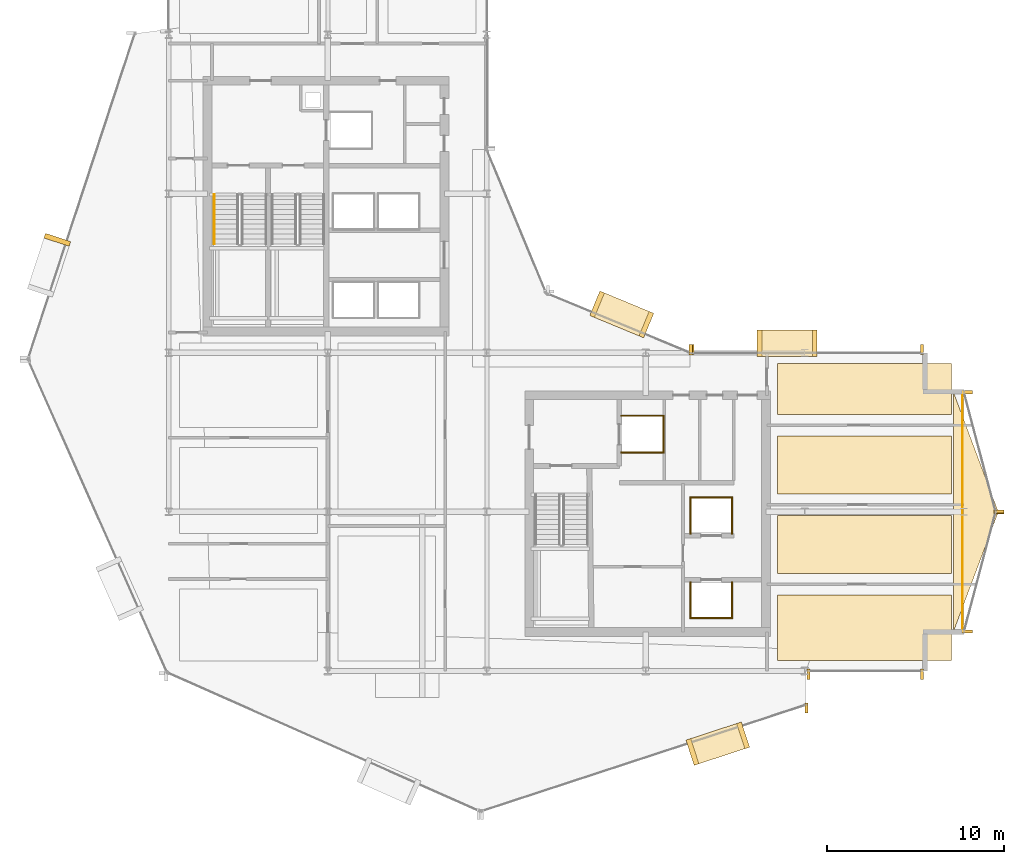
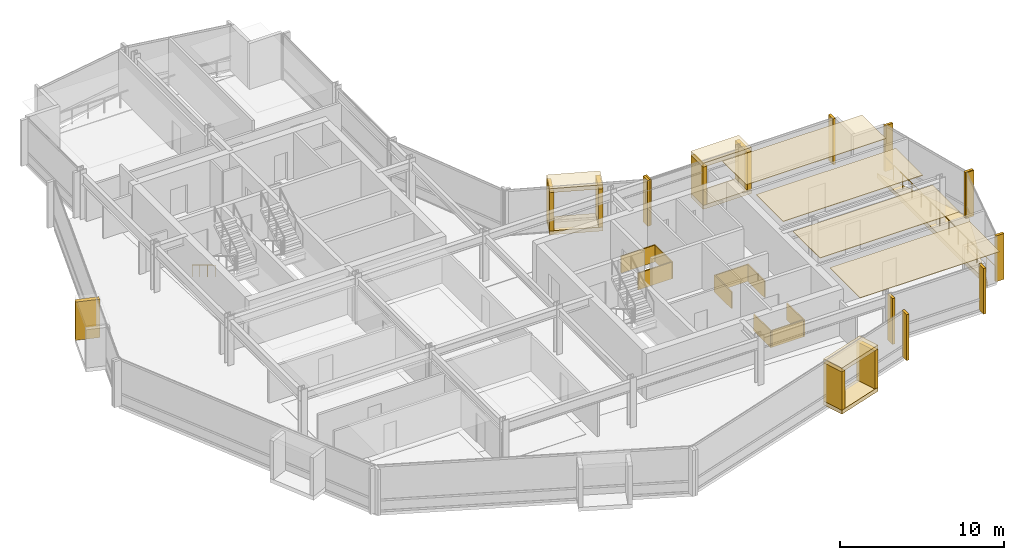
# One storey, part 28 of 29: 37 coverings, 2 railings.
"""IFC4 building model written with IfcOpenShell, lengths in metres."""

import ifcopenshell
import ifcopenshell.guid

model = None  # the IFC model being written
_history = None  # IfcOwnerHistory: only IFC2X3 demands one
_inside = {}  # id of a spatial element -> (the spatial element, [elements in it])
_under = {}  # id of a project, library or spatial element -> (it, [spatial elements below it])
_declared = {}  # id of a project -> (the project, [libraries it declares])
_typed = {}  # id of a type object -> (the type object, [elements of that type])
_made_of = {}  # id of a material, layer set ... -> (it, [elements and type objects made of it])


def new_model(schema):
    """Start an empty IFC model of exactly this schema.

    Asked for "IFC4X3", IfcOpenShell would pick the latest addendum, in which some entities
    have other attributes; the version numbers below select the first issue.
    IFC2X3 requires an IfcOwnerHistory on every rooted entity: one is made here for all.
    """
    global model, _history
    if schema == "IFC4X3":
        model = ifcopenshell.file(schema_version=(4, 3, 0, 0))
    else:
        model = ifcopenshell.file(schema=schema)
    _inside.clear()
    _under.clear()
    _declared.clear()
    _typed.clear()
    _made_of.clear()
    _history = None
    if model.schema == "IFC2X3":
        org = make("IfcOrganization", Name="unknown")
        user = make(
            "IfcPersonAndOrganization",
            ThePerson=make("IfcPerson", FamilyName="unknown"),
            TheOrganization=org,
        )
        app = make(
            "IfcApplication",
            ApplicationDeveloper=org,
            Version="unknown",
            ApplicationFullName="unknown",
            ApplicationIdentifier="unknown",
        )
        _history = make(
            "IfcOwnerHistory",
            OwningUser=user,
            OwningApplication=app,
            ChangeAction="ADDED",
            CreationDate=0,
        )
    return model


def make(cls, **values):
    """One entity of the class cls with the attributes given. An attribute that is None is left unset."""
    return model.create_entity(
        cls, **{name: value for name, value in values.items() if value is not None}
    )


def rooted(cls, **values):
    """An entity with a GlobalId (a new one), such as an element, a storey or a relation."""
    return make(cls, GlobalId=ifcopenshell.guid.new(), OwnerHistory=_history, **values)


def si_unit(unit_type, name, prefix=None):
    """IfcSIUnit, for example si_unit("LENGTHUNIT", "METRE", prefix="MILLI")."""
    return make("IfcSIUnit", UnitType=unit_type, Prefix=prefix, Name=name)


def assignment(units):
    """IfcUnitAssignment: the units of a project."""
    return None if units is None else make("IfcUnitAssignment", Units=units)


def point(xyz):
    """IfcCartesianPoint."""
    return None if xyz is None else make("IfcCartesianPoint", Coordinates=xyz)


def direction(xyz):
    """IfcDirection."""
    return None if xyz is None else make("IfcDirection", DirectionRatios=xyz)


def frame(location, z_axis=None, x_axis=None):
    """IfcAxis2Placement3D, a coordinate frame: its origin and axes. An axis left out is left unset."""
    return make(
        "IfcAxis2Placement3D",
        Location=point(location),
        Axis=direction(z_axis),
        RefDirection=direction(x_axis),
    )


def frame_2d(location, x_axis=None):
    """IfcAxis2Placement2D, a coordinate frame in the plane: its origin and x axis."""
    return make(
        "IfcAxis2Placement2D", Location=point(location), RefDirection=direction(x_axis)
    )


def origin():
    """The frame at (0, 0, 0) with its axes left unset."""
    return frame((0.0, 0.0, 0.0))


def origin_2d():
    """The frame at (0, 0) in the plane with its x axis left unset."""
    return frame_2d((0.0, 0.0))


def place(relative_to, where):
    """IfcLocalPlacement: puts the frame where relative to a parent placement (None: the world)."""
    return make(
        "IfcLocalPlacement", PlacementRelTo=relative_to, RelativePlacement=where
    )


def context(
    kind, dimensions, precision=None, world=None, true_north=None, identifier=None
):
    """IfcGeometricRepresentationContext, for example the 3D "Model" context."""
    return make(
        "IfcGeometricRepresentationContext",
        ContextIdentifier=identifier,
        ContextType=kind,
        CoordinateSpaceDimension=dimensions,
        Precision=precision,
        WorldCoordinateSystem=world,
        TrueNorth=true_north,
    )


def subcontext(parent, identifier, kind, view, scale=None):
    """IfcGeometricRepresentationSubContext, for example "Body" below "Model"."""
    return make(
        "IfcGeometricRepresentationSubContext",
        ContextIdentifier=identifier,
        ContextType=kind,
        ParentContext=parent,
        TargetScale=scale,
        TargetView=view,
    )


def project(units=None, contexts=None):
    """IfcProject with its units and contexts."""
    return rooted(
        "IfcProject",
        Name="project",
        RepresentationContexts=contexts,
        UnitsInContext=assignment(units),
    )


def spatial(cls, under=None, at=None, **own):
    """A site, building, storey or space (cls), placed at a placement, below another one or the project."""
    s = rooted(cls, ObjectPlacement=at, **own)
    if under is not None:
        _under.setdefault(under.id(), (under, []))[1].append(s)
    return s


def polyline(points):
    """IfcPolyline through the points."""
    return make("IfcPolyline", Points=[point(p) for p in points])


def profile(cls, at=None, kind="AREA", **sizes):
    """A parametric profile (cls). Its sizes go by their IFC names, for example OverallWidth=200.0."""
    return make(cls, ProfileType=kind, Position=at, **sizes)


def rectangle(**sizes):
    """IfcRectangleProfileDef."""
    return profile("IfcRectangleProfileDef", **sizes)


def circle(**sizes):
    """IfcCircleProfileDef."""
    return profile("IfcCircleProfileDef", **sizes)


def outline(outer, holes=None, kind="AREA"):
    """IfcArbitraryClosedProfileDef: a profile drawn as a closed curve; with holes, ...WithVoids."""
    if holes is None:
        return make("IfcArbitraryClosedProfileDef", ProfileType=kind, OuterCurve=outer)
    return make(
        "IfcArbitraryProfileDefWithVoids",
        ProfileType=kind,
        OuterCurve=outer,
        InnerCurves=holes,
    )


def extrude(swept, where, along, depth):
    """IfcExtrudedAreaSolid: the profile swept, set in the frame where, extruded along a direction by depth."""
    return make(
        "IfcExtrudedAreaSolid",
        SweptArea=swept,
        Position=where,
        ExtrudedDirection=direction(along),
        Depth=depth,
    )


def shape(context_of_items, identifier, shape_type, items):
    """IfcShapeRepresentation: the items that make up one representation, for example the "Body"."""
    return make(
        "IfcShapeRepresentation",
        ContextOfItems=context_of_items,
        RepresentationIdentifier=identifier,
        RepresentationType=shape_type,
        Items=items,
    )


def material(Name=None, Category=None):
    """IfcMaterial."""
    return make("IfcMaterial", Name=Name, Category=Category)


def layer(
    of_material, thickness, ventilated=None, Name=None, Category=None, Priority=None
):
    """IfcMaterialLayer: one layer of a wall or slab, of a material (None: an air gap)."""
    return make(
        "IfcMaterialLayer",
        Material=of_material,
        LayerThickness=thickness,
        IsVentilated=ventilated,
        Name=Name,
        Category=Category,
        Priority=Priority,
    )


def layer_set(layers, Name=None):
    """IfcMaterialLayerSet."""
    return make("IfcMaterialLayerSet", MaterialLayers=layers, LayerSetName=Name)


def made_of(thing, what):
    """Note that an element or type object is made of a material, layer set ...; save() writes the relation."""
    if what is not None:
        _made_of.setdefault(what.id(), (what, []))[1].append(thing)
    return thing


def type_object(cls, material=None, **own):
    """A type object (cls), such as IfcWallType, which elements share."""
    return made_of(rooted(cls, **own), material)


def element(
    cls,
    number,
    at=None,
    inside=None,
    cuts=None,
    type_object=None,
    material=None,
    context=None,
    identifier="Body",
    shape_type=None,
    held_by="IfcProductDefinitionShape",
    body=None,
    shapes=None,
    **own,
):
    """One element of the class cls, such as IfcWall. Its Tag is "e" and its number.

    at: its placement. inside: the storey or other place that contains it. cuts: it is an
    opening in that element (IfcRelVoidsElement). A single representation is given by context,
    identifier, shape_type and body (its items); several are given by shapes. held_by: the class
    of the entity that holds the representations. save() writes the other relations.
    """
    e = rooted(cls, Tag="e%d" % number, ObjectPlacement=at, **own)
    if body is not None:
        shapes = [shape(context, identifier, shape_type, body)]
    if shapes is not None:
        e.Representation = make(held_by, Representations=shapes)
    if inside is not None:
        _inside.setdefault(inside.id(), (inside, []))[1].append(e)
    if cuts is not None:
        rooted(
            "IfcRelVoidsElement", RelatingBuildingElement=cuts, RelatedOpeningElement=e
        )
    if type_object is not None:
        _typed.setdefault(type_object.id(), (type_object, []))[1].append(e)
    return made_of(e, material)


def aggregate(whole, parts):
    """IfcRelAggregates: a whole, such as a stair, and the parts it consists of."""
    return rooted("IfcRelAggregates", RelatingObject=whole, RelatedObjects=parts)


def save(model, path):
    """Write the relations noted so far, then the file.

    IfcRelAggregates (storeys below a building ...), IfcRelContainedInSpatialStructure (elements
    in a storey), IfcRelDefinesByType, IfcRelAssociatesMaterial and IfcRelDeclares: one each for
    every whole, place, type object, material and project.
    """
    for whole, parts in _under.values():
        aggregate(whole, parts)
    for where, things in _inside.values():
        rooted(
            "IfcRelContainedInSpatialStructure",
            RelatedElements=things,
            RelatingStructure=where,
        )
    for kind, things in _typed.values():
        rooted("IfcRelDefinesByType", RelatedObjects=things, RelatingType=kind)
    for what, things in _made_of.values():
        rooted("IfcRelAssociatesMaterial", RelatedObjects=things, RelatingMaterial=what)
    for by, libraries in _declared.values():
        rooted("IfcRelDeclares", RelatingContext=by, RelatedDefinitions=libraries)
    model.write(path)


model = new_model("IFC4")

# Units and contexts
model_context = context("Model", 3, precision=1e-05, world=origin(), true_north=direction((0.0, 1.0)))
body_context = subcontext(model_context, "Body", "Model", "MODEL_VIEW")
ifc_project = project(units=[si_unit("LENGTHUNIT", "METRE"), si_unit("AREAUNIT", "SQUARE_METRE"), si_unit("VOLUMEUNIT", "CUBIC_METRE"), si_unit("PLANEANGLEUNIT", "RADIAN"), si_unit("MASSUNIT", "GRAM", prefix="KILO")], contexts=[model_context])

# Site, building, storey
site_placement = place(None, origin())
site = spatial("IfcSite", under=ifc_project, at=site_placement, CompositionType="ELEMENT")
building_placement = place(site_placement, origin())
building = spatial("IfcBuilding", under=site, at=building_placement, Name="Solvaryn Broadcast Tower", CompositionType="ELEMENT")
storey_placement = place(building_placement, frame((0.0, 0.0, 139.60009765625)))
storey = spatial("IfcBuildingStorey", under=building, at=storey_placement, Name="L34", CompositionType="ELEMENT", Elevation=139.60009765625)

# Coverings
ifc_material_1 = material(Name="Micro-Perforated Acoustic Gypsum Ceiling", Category="concrete")
ifc_layer_1 = layer(ifc_material_1, 0.0400390625)
ifc_layer_set_1 = layer_set([ifc_layer_1], Name="CV-CEIL-ACOUSTIC")
covering_type_1 = type_object("IfcCoveringType", Name="CV-CEIL-ACOUSTIC", PredefinedType="CEILING", material=ifc_layer_set_1)
covering_1_placement = place(storey_placement, frame((0.0, 0.0, 3.3798828125)))
element("IfcCovering", 1, at=covering_1_placement, inside=storey, type_object=covering_type_1, Name="L34 Room Acoustic Ceiling 9", PredefinedType="CEILING", context=body_context, shape_type="SweptSolid", body=[
    extrude(outline(polyline([(43.449951171875, 9.60009765625), (53.300048828125, 9.60009765625), (53.300048828125, 13.300048828125), (43.449951171875, 13.300048828125), (43.449951171875, 9.60009765625)])), origin(), (0.0, 0.0, 1.0), 0.0400390625),
])
covering_2_placement = place(storey_placement, frame((0.0, 0.0, 3.3798828125)))
element("IfcCovering", 2, at=covering_2_placement, inside=storey, type_object=covering_type_1, Name="L34 Room Acoustic Ceiling 10", PredefinedType="CEILING", context=body_context, shape_type="SweptSolid", body=[
    extrude(outline(polyline([(43.449951171875, 14.5), (53.300048828125, 14.5), (53.300048828125, 17.800048828125), (43.449951171875, 17.800048828125), (43.449951171875, 14.5)])), origin(), (0.0, 0.0, 1.0), 0.0400390625),
])
covering_3_placement = place(storey_placement, frame((0.0, 0.0, 3.3798828125)))
element("IfcCovering", 3, at=covering_3_placement, inside=storey, type_object=covering_type_1, Name="L34 Room Acoustic Ceiling 11", PredefinedType="CEILING", context=body_context, shape_type="SweptSolid", body=[
    extrude(outline(polyline([(43.449951171875, 19.0), (53.300048828125, 19.0), (53.300048828125, 22.300048828125), (43.449951171875, 22.300048828125), (43.449951171875, 19.0)])), origin(), (0.0, 0.0, 1.0), 0.0400390625),
])
covering_4_placement = place(storey_placement, frame((0.0, 0.0, 3.3798828125)))
element("IfcCovering", 4, at=covering_4_placement, inside=storey, type_object=covering_type_1, Name="L34 Room Acoustic Ceiling 12", PredefinedType="CEILING", context=body_context, shape_type="SweptSolid", body=[
    extrude(outline(polyline([(43.449951171875, 23.5), (53.300048828125, 23.5), (53.300048828125, 26.39990234375), (43.449951171875, 26.39990234375), (43.449951171875, 23.5)])), origin(), (0.0, 0.0, 1.0), 0.0400390625),
])
ifc_material_2 = material(Name="Fire-Rated Gypsum Shaftwall Liner", Category="concrete")
ifc_layer_2 = layer(ifc_material_2, 0.080078125)
ifc_layer_set_2 = layer_set([ifc_layer_2], Name="CV-SHAFT-LINER")
covering_type_2 = type_object("IfcCoveringType", Name="CV-SHAFT-LINER", PredefinedType="CLADDING", material=ifc_layer_set_2)
for number, where, z_axis, x_axis, name in (
    (5, (35.800048828125, 23.43994140625, 0.0), (0.0, 0.0, 1.0), (1.0, 0.0, 0.0), "L34 FL2 Hoistway Shaft Liner North"),
    (6, (35.800048828125, 21.360107421875, 0.0), (0.0, 0.0, 1.0), (1.0, 0.0, 0.0), "L34 FL2 Hoistway Shaft Liner South"),
):
    element("IfcCovering", number, at=place(storey_placement, frame(where, z_axis=z_axis, x_axis=x_axis)), inside=storey, type_object=covering_type_2, Name=name, PredefinedType="CLADDING", context=body_context, shape_type="SweptSolid", body=[
        extrude(rectangle(XDim=2.4599609375, YDim=0.080078125, at=origin_2d()), origin(), (0.0, 0.0, 1.0), 1.25),
    ])
covering_5_placement = place(storey_placement, frame((36.989990234375, 22.39990234375, 0.0), z_axis=(0.0, 0.0, 1.0), x_axis=(1.0, 0.0, 0.0)))
element("IfcCovering", 7, at=covering_5_placement, inside=storey, type_object=covering_type_2, Name="L34 FL2 Hoistway Shaft Liner East", PredefinedType="CLADDING", context=body_context, shape_type="SweptSolid", body=[
    extrude(rectangle(XDim=0.080078125, YDim=2.159912109375, at=origin_2d()), origin(), (0.0, 0.0, 1.0), 1.25),
])
covering_6_placement = place(storey_placement, frame((39.699951171875, 11.985107421875, 0.0), z_axis=(0.0, 0.0, 1.0), x_axis=(1.0, 0.0, 0.0)))
element("IfcCovering", 8, at=covering_6_placement, inside=storey, type_object=covering_type_2, Name="L34 PM1 Hoistway Shaft Liner South", PredefinedType="CLADDING", context=body_context, shape_type="SweptSolid", body=[
    extrude(rectangle(XDim=2.409912109375, YDim=0.080078125, at=origin_2d()), origin(), (0.0, 0.0, 1.0), 1.25),
])
for number, where, z_axis, x_axis, name in (
    (9, (40.864990234375, 13.0, 0.0), (0.0, 0.0, 1.0), (1.0, 0.0, 0.0), "L34 PM1 Hoistway Shaft Liner East"),
    (10, (38.534912109375, 13.0, 0.0), (0.0, 0.0, 1.0), (1.0, 0.0, 0.0), "L34 PM1 Hoistway Shaft Liner West"),
):
    element("IfcCovering", number, at=place(storey_placement, frame(where, z_axis=z_axis, x_axis=x_axis)), inside=storey, type_object=covering_type_2, Name=name, PredefinedType="CLADDING", context=body_context, shape_type="SweptSolid", body=[
        extrude(rectangle(XDim=0.080078125, YDim=2.110107421875, at=origin_2d()), origin(), (0.0, 0.0, 1.0), 1.25),
    ])
covering_7_placement = place(storey_placement, frame((39.699951171875, 18.81494140625, 0.0), z_axis=(0.0, 0.0, 1.0), x_axis=(1.0, 0.0, 0.0)))
element("IfcCovering", 11, at=covering_7_placement, inside=storey, type_object=covering_type_2, Name="L34 PM2 Hoistway Shaft Liner North", PredefinedType="CLADDING", context=body_context, shape_type="SweptSolid", body=[
    extrude(rectangle(XDim=2.409912109375, YDim=0.080078125, at=origin_2d()), origin(), (0.0, 0.0, 1.0), 1.25),
])
for number, where, z_axis, x_axis, name in (
    (12, (40.864990234375, 17.800048828125, 0.0), (0.0, 0.0, 1.0), (1.0, 0.0, 0.0), "L34 PM2 Hoistway Shaft Liner East"),
    (13, (38.534912109375, 17.800048828125, 0.0), (0.0, 0.0, 1.0), (1.0, 0.0, 0.0), "L34 PM2 Hoistway Shaft Liner West"),
):
    element("IfcCovering", number, at=place(storey_placement, frame(where, z_axis=z_axis, x_axis=x_axis)), inside=storey, type_object=covering_type_2, Name=name, PredefinedType="CLADDING", context=body_context, shape_type="SweptSolid", body=[
        extrude(rectangle(XDim=0.080078125, YDim=2.110107421875, at=origin_2d()), origin(), (0.0, 0.0, 1.0), 1.25),
    ])
ifc_material_3 = material(Name="Glazed Architectural Terracotta Rainscreen Cladding", Category="masonry")
ifc_layer_3 = layer(ifc_material_3, 0.280029296875)
ifc_layer_set_3 = layer_set([ifc_layer_3], Name="CV-TC-CLAD")
covering_type_3 = type_object("IfcCoveringType", Name="CV-TC-CLAD", PredefinedType="CLADDING", material=ifc_layer_set_3)
covering_8_placement = place(storey_placement, frame((2.693603515625, 33.396728515625, 0.27978515625), z_axis=(0.0, 0.0, 1.0), x_axis=(-0.311671636848, -0.950189870912, 0.0)))
element("IfcCovering", 14, at=covering_8_placement, inside=storey, type_object=covering_type_3, Name="L34 Projecting Stone Window Box Cheek 1-1", PredefinedType="CLADDING", context=body_context, shape_type="SweptSolid", body=[
    extrude(rectangle(XDim=0.280029296875, YDim=1.5, at=origin_2d()), origin(), (0.0, 0.0, 1.0), 2.860107421875),
])
for number, where, z_axis, x_axis, name in (
    (15, (40.071044921875, 4.883056640625, 3.1298828125), (0.0, 0.0, 1.0), (0.950189870912, 0.311671636848, 0.0), "L34 Projecting Stone Window Box Hood 4"),
    (16, (40.071044921875, 4.883056640625, -0.01025390625), (0.0, 0.0, 1.0), (0.950189870912, 0.311671636848, 0.0), "L34 Projecting Stone Window Box Sill 4"),
):
    element("IfcCovering", number, at=place(storey_placement, frame(where, z_axis=z_axis, x_axis=x_axis)), inside=storey, type_object=covering_type_3, Name=name, PredefinedType="CLADDING", context=body_context, shape_type="SweptSolid", body=[
        extrude(rectangle(XDim=3.300048828125, YDim=1.5, at=origin_2d()), origin(), (0.0, 0.0, 1.0), 0.300048828125),
    ])
for number, where, z_axis, x_axis, name in (
    (17, (38.63623046875, 4.412353515625, 0.27978515625), (0.0, 0.0, 1.0), (0.950189870912, 0.311671636848, 0.0), "L34 Projecting Stone Window Box Cheek 4-1"),
    (18, (41.505859375, 5.353515625, 0.27978515625), (0.0, 0.0, 1.0), (0.950189870912, 0.311671636848, 0.0), "L34 Projecting Stone Window Box Cheek 4-2"),
):
    element("IfcCovering", number, at=place(storey_placement, frame(where, z_axis=z_axis, x_axis=x_axis)), inside=storey, type_object=covering_type_3, Name=name, PredefinedType="CLADDING", context=body_context, shape_type="SweptSolid", body=[
        extrude(rectangle(XDim=0.280029296875, YDim=1.5, at=origin_2d()), origin(), (0.0, 0.0, 1.0), 2.860107421875),
    ])
for number, where, z_axis, x_axis, name in (
    (19, (34.636962890625, 29.174072265625, 3.1298828125), (0.0, 0.0, 1.0), (-0.923879532511, 0.382683432365, 0.0), "L34 Projecting Stone Window Box Hood 5"),
    (20, (34.636962890625, 29.174072265625, -0.01025390625), (0.0, 0.0, 1.0), (-0.923879532511, 0.382683432365, 0.0), "L34 Projecting Stone Window Box Sill 5"),
):
    element("IfcCovering", number, at=place(storey_placement, frame(where, z_axis=z_axis, x_axis=x_axis)), inside=storey, type_object=covering_type_3, Name=name, PredefinedType="CLADDING", context=body_context, shape_type="SweptSolid", body=[
        extrude(rectangle(XDim=3.300048828125, YDim=1.5, at=origin_2d()), origin(), (0.0, 0.0, 1.0), 0.300048828125),
    ])
for number, where, z_axis, x_axis, name in (
    (21, (36.031982421875, 28.59619140625, 0.27978515625), (0.0, 0.0, 1.0), (-0.923879532511, 0.382683432365, 0.0), "L34 Projecting Stone Window Box Cheek 5-1"),
    (22, (33.241943359375, 29.751953125, 0.27978515625), (0.0, 0.0, 1.0), (-0.923879532511, 0.382683432365, 0.0), "L34 Projecting Stone Window Box Cheek 5-2"),
):
    element("IfcCovering", number, at=place(storey_placement, frame(where, z_axis=z_axis, x_axis=x_axis)), inside=storey, type_object=covering_type_3, Name=name, PredefinedType="CLADDING", context=body_context, shape_type="SweptSolid", body=[
        extrude(rectangle(XDim=0.280029296875, YDim=1.5, at=origin_2d()), origin(), (0.0, 0.0, 1.0), 2.860107421875),
    ])
for number, where, z_axis, x_axis, name in (
    (23, (44.0, 27.530029296875, 3.1298828125), (0.0, 0.0, 1.0), (1.0, 0.0, 0.0), "L34 Projecting Stone Window Box Hood 6"),
    (24, (44.0, 27.530029296875, -0.01025390625), (0.0, 0.0, 1.0), (1.0, 0.0, 0.0), "L34 Projecting Stone Window Box Sill 6"),
):
    element("IfcCovering", number, at=place(storey_placement, frame(where, z_axis=z_axis, x_axis=x_axis)), inside=storey, type_object=covering_type_3, Name=name, PredefinedType="CLADDING", context=body_context, shape_type="SweptSolid", body=[
        extrude(rectangle(XDim=3.39990234375, YDim=1.5, at=origin_2d()), origin(), (0.0, 0.0, 1.0), 0.300048828125),
    ])
for number, where, z_axis, x_axis, name in (
    (25, (42.43994140625, 27.530029296875, 0.27978515625), (0.0, 0.0, 1.0), (1.0, 0.0, 0.0), "L34 Projecting Stone Window Box Cheek 6-1"),
    (26, (45.56005859375, 27.530029296875, 0.27978515625), (0.0, 0.0, 1.0), (1.0, 0.0, 0.0), "L34 Projecting Stone Window Box Cheek 6-2"),
):
    element("IfcCovering", number, at=place(storey_placement, frame(where, z_axis=z_axis, x_axis=x_axis)), inside=storey, type_object=covering_type_3, Name=name, PredefinedType="CLADDING", context=body_context, shape_type="SweptSolid", body=[
        extrude(rectangle(XDim=0.280029296875, YDim=1.5, at=origin_2d()), origin(), (0.0, 0.0, 1.0), 2.860107421875),
    ])
ifc_material_4 = material(Name="Extruded Architectural Terracotta Fin", Category="masonry")
ifc_layer_4 = layer(ifc_material_4, 0.179931640625)
ifc_layer_set_4 = layer_set([ifc_layer_4], Name="CV-TC-FIN")
covering_type_4 = type_object("IfcCoveringType", Name="CV-TC-FIN", PredefinedType="USERDEFINED", material=ifc_layer_set_4)
for number, where, z_axis, x_axis, name in (
    (27, (45.0947265625, 6.898681640625, 0.0), (0.0, 0.0, 1.0), (1.0, 0.0, 0.0), "L34 Terracotta Vertical Fin FIN-L34-DR4-M01"),
    (28, (38.541259765625, 27.177978515625, 0.0), (0.0, 0.0, 1.0), (1.0, 0.0, 0.0), "L34 Terracotta Vertical Fin FIN-L34-CN1-M00"),
    (29, (45.197021484375, 8.8125, 0.0), (0.0, 0.0, 1.0), (1.0, 0.0, 0.0), "L34 Terracotta Vertical Fin FIN-L34-S2-M00"),
    (30, (51.6201171875, 8.8125, 0.0), (0.0, 0.0, 1.0), (1.0, 0.0, 0.0), "L34 Terracotta Vertical Fin FIN-L34-S2-M01"),
):
    element("IfcCovering", number, at=place(storey_placement, frame(where, z_axis=z_axis, x_axis=x_axis)), inside=storey, type_object=covering_type_4, Name=name, ObjectType="FIN", PredefinedType="USERDEFINED", context=body_context, shape_type="SweptSolid", body=[
        extrude(rectangle(XDim=0.179931640625, YDim=0.580078125, at=origin_2d()), origin(), (0.0, 0.0, 1.0), 3.419921875),
    ])
for number, where, z_axis, x_axis, name in (
    (31, (54.1953125, 24.77099609375, 0.0), (0.0, 0.0, 1.0), (1.0, 0.0, 0.0), "L34 Terracotta Vertical Fin FIN-L34-ET1-M00"),
    (32, (55.979736328125, 18.029052734375, 0.0), (0.0, 0.0, 1.0), (1.0, 0.0, 0.0), "L34 Terracotta Vertical Fin FIN-L34-ET1-M01"),
    (33, (55.979736328125, 17.970947265625, 0.0), (0.0, 0.0, 1.0), (1.0, 0.0, 0.0), "L34 Terracotta Vertical Fin FIN-L34-ET2-M00"),
    (34, (54.1953125, 11.22900390625, 0.0), (0.0, 0.0, 1.0), (1.0, 0.0, 0.0), "L34 Terracotta Vertical Fin FIN-L34-ET2-M01"),
):
    element("IfcCovering", number, at=place(storey_placement, frame(where, z_axis=z_axis, x_axis=x_axis)), inside=storey, type_object=covering_type_4, Name=name, ObjectType="FIN", PredefinedType="USERDEFINED", context=body_context, shape_type="SweptSolid", body=[
        extrude(rectangle(XDim=0.580078125, YDim=0.179931640625, at=origin_2d()), origin(), (0.0, 0.0, 1.0), 3.419921875),
    ])
for number, where, z_axis, x_axis, name in (
    (35, (38.6298828125, 27.1875, 0.0), (0.0, 0.0, 1.0), (1.0, 0.0, 0.0), "L34 Terracotta Vertical Fin FIN-L34-IH-M00"),
    (36, (51.6201171875, 27.1875, 0.0), (0.0, 0.0, 1.0), (1.0, 0.0, 0.0), "L34 Terracotta Vertical Fin FIN-L34-IH-M01"),
):
    element("IfcCovering", number, at=place(storey_placement, frame(where, z_axis=z_axis, x_axis=x_axis)), inside=storey, type_object=covering_type_4, Name=name, ObjectType="FIN", PredefinedType="USERDEFINED", context=body_context, shape_type="SweptSolid", body=[
        extrude(rectangle(XDim=0.179931640625, YDim=0.580078125, at=origin_2d()), origin(), (0.0, 0.0, 1.0), 3.419921875),
    ])
ifc_material_5 = material(Name="Sculpted Architectural Terracotta Wave Fascia", Category="masonry")
ifc_layer_5 = layer(ifc_material_5, 0.340087890625)
ifc_layer_set_5 = layer_set([ifc_layer_5], Name="CV-WAVE-TRAY")
covering_type_5 = type_object("IfcCoveringType", Name="CV-WAVE-TRAY", PredefinedType="CLADDING", material=ifc_layer_set_5)
covering_9_placement = place(storey_placement, frame((0.0, 0.0, -0.300048828125)))
element("IfcCovering", 37, at=covering_9_placement, inside=storey, type_object=covering_type_5, Name="L34 East Curved Wing Deck", PredefinedType="CLADDING", context=body_context, shape_type="SweptSolid", body=[
    extrude(outline(polyline([(53.39990234375, 11.199951171875), (55.949951171875, 18.0), (53.39990234375, 24.800048828125), (53.39990234375, 11.199951171875)])), origin(), (0.0, 0.0, 1.0), 0.329833984375),
])

# Railings
ifc_material_6 = material(Name="Brushed Stainless Steel Tubular Handrail", Category="steel")
railing_type_1 = type_object("IfcRailingType", Name="RL-STAIR-HANDRAIL", PredefinedType="HANDRAIL", material=ifc_material_6)
railing_1_placement = place(storey_placement, frame((11.570068359375, 35.9599609375, 0.16796875)))
element("IfcRailing", 38, at=railing_1_placement, inside=storey, type_object=railing_type_1, Name="L34 ST1 stair handrail 1", PredefinedType="HANDRAIL", context=body_context, shape_type="SweptSolid", body=[
    extrude(circle(Radius=0.02392578125, at=origin_2d()), frame((0.0, 0.0, 0.8759765625), z_axis=(0.0, -0.857242210791, 0.514913383045), x_axis=(1.0, 0.0, 0.0)), (0.0, 0.0, 1.0), 3.266357421875),
    extrude(circle(Radius=0.02099609375, at=origin_2d()), origin(), (0.0, 0.0, 1.0), 0.851806640625),
    extrude(circle(Radius=0.02099609375, at=origin_2d()), frame((0.0, -0.933349609375, 0.560546875)), (0.0, 0.0, 1.0), 0.851806640625),
    extrude(circle(Radius=0.02099609375, at=origin_2d()), frame((0.0, -1.86669921875, 1.121337890625)), (0.0, 0.0, 1.0), 0.851806640625),
    extrude(circle(Radius=0.02099609375, at=origin_2d()), frame((0.0, -2.800048828125, 1.681884765625)), (0.0, 0.0, 1.0), 0.851806640625),
])
ifc_material_7 = material(Name="Stainless Steel and Laminated Glass Guard", Category="steel")
railing_type_2 = type_object("IfcRailingType", Name="RL-TER-1150", PredefinedType="BALUSTRADE", material=ifc_material_7)
railing_2_placement = place(storey_placement, frame((53.919921875, 11.199951171875, 0.0)))
element("IfcRailing", 39, at=railing_2_placement, inside=storey, type_object=railing_type_2, Name="L34 East Wing Spandrel Edge Guard", PredefinedType="BALUSTRADE", context=body_context, shape_type="SweptSolid", body=[
    extrude(circle(Radius=0.02392578125, at=origin_2d()), frame((0.0, 0.0, 1.1259765625), z_axis=(0.0, 1.0, 0.0), x_axis=(-1.0, 0.0, 0.0)), (0.0, 0.0, 1.0), 13.60009765625),
    extrude(circle(Radius=0.02099609375, at=origin_2d()), origin(), (0.0, 0.0, 1.0), 1.101806640625),
    extrude(circle(Radius=0.02099609375, at=origin_2d()), frame((0.0, 1.13330078125, 0.0)), (0.0, 0.0, 1.0), 1.101806640625),
    extrude(circle(Radius=0.02099609375, at=origin_2d()), frame((0.0, 2.2666015625, 0.0)), (0.0, 0.0, 1.0), 1.101806640625),
    extrude(circle(Radius=0.02099609375, at=origin_2d()), frame((0.0, 3.39990234375, 0.0)), (0.0, 0.0, 1.0), 1.101806640625),
    extrude(circle(Radius=0.02099609375, at=origin_2d()), frame((0.0, 4.533447265625, 0.0)), (0.0, 0.0, 1.0), 1.101806640625),
    extrude(circle(Radius=0.02099609375, at=origin_2d()), frame((0.0, 5.666748046875, 0.0)), (0.0, 0.0, 1.0), 1.101806640625),
    extrude(circle(Radius=0.02099609375, at=origin_2d()), frame((0.0, 6.800048828125, 0.0)), (0.0, 0.0, 1.0), 1.101806640625),
    extrude(circle(Radius=0.02099609375, at=origin_2d()), frame((0.0, 7.933349609375, 0.0)), (0.0, 0.0, 1.0), 1.101806640625),
    extrude(circle(Radius=0.02099609375, at=origin_2d()), frame((0.0, 9.066650390625, 0.0)), (0.0, 0.0, 1.0), 1.101806640625),
    extrude(circle(Radius=0.02099609375, at=origin_2d()), frame((0.0, 10.2001953125, 0.0)), (0.0, 0.0, 1.0), 1.101806640625),
    extrude(circle(Radius=0.02099609375, at=origin_2d()), frame((0.0, 11.33349609375, 0.0)), (0.0, 0.0, 1.0), 1.101806640625),
    extrude(circle(Radius=0.02099609375, at=origin_2d()), frame((0.0, 12.466796875, 0.0)), (0.0, 0.0, 1.0), 1.101806640625),
    extrude(circle(Radius=0.02099609375, at=origin_2d()), frame((0.0, 13.60009765625, 0.0)), (0.0, 0.0, 1.0), 1.101806640625),
])

save(model, "model.ifc")
